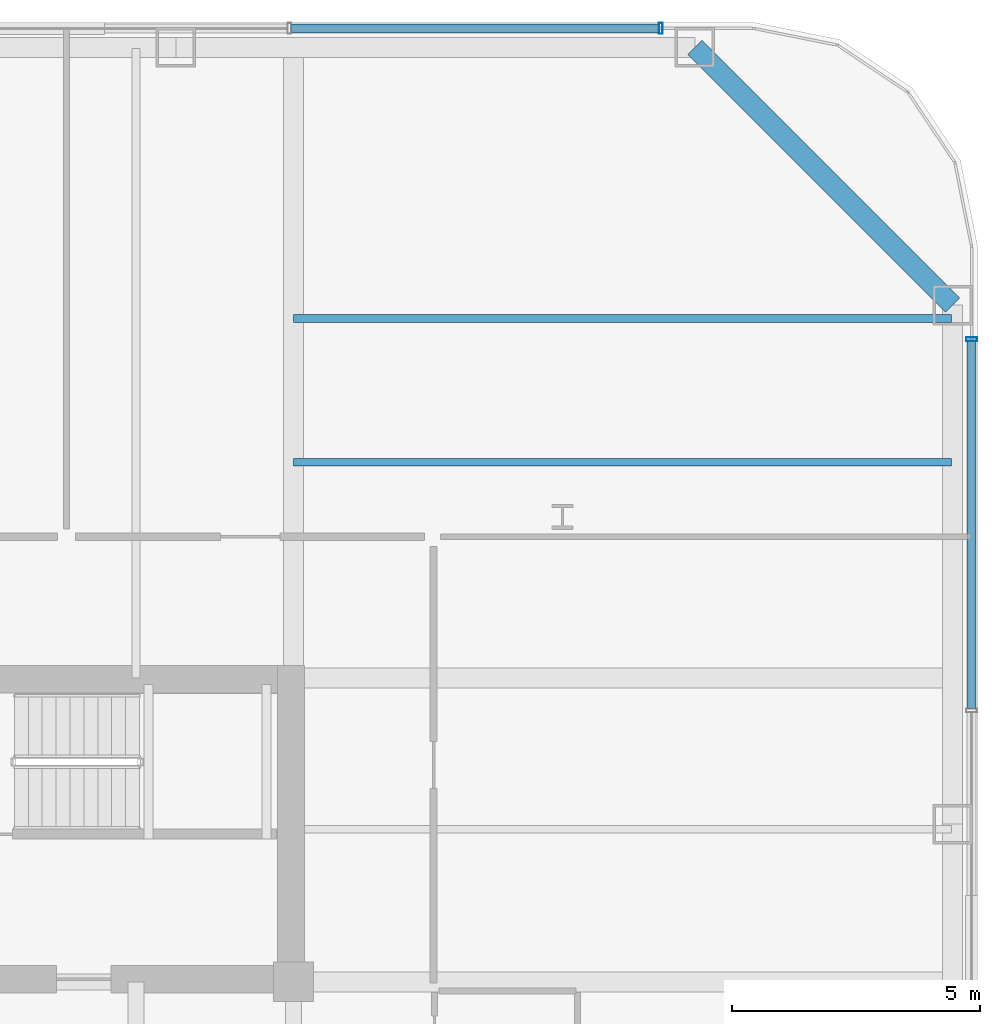
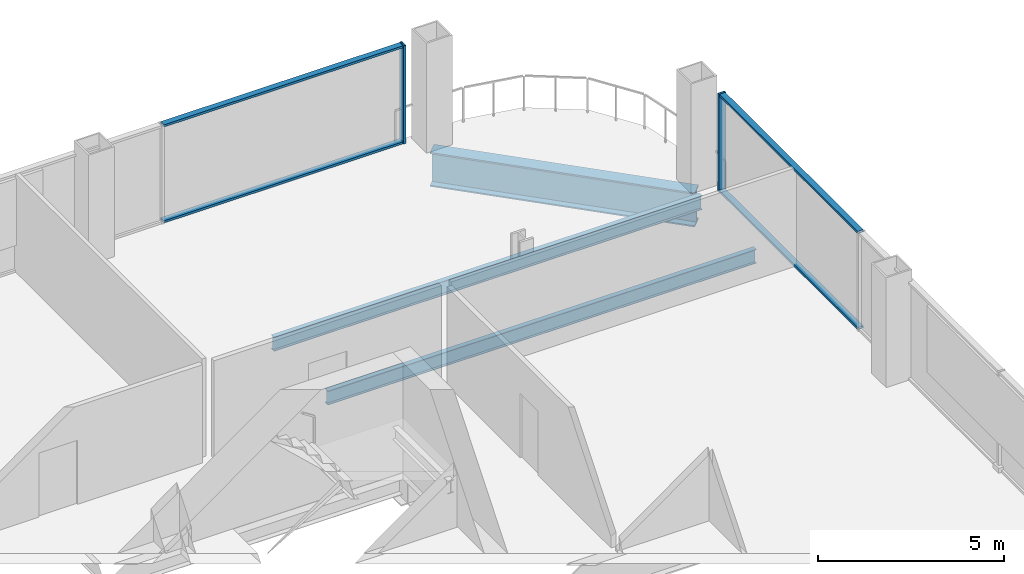
# One storey, part 18 of 24: 6 members, 3 beams, 2 elements without a shape of their own.
"""IFC4 building model written with IfcOpenShell, lengths in metres."""

from ifc_helpers import new_model, si_unit, direction, frame, origin, origin_2d, place, context, subcontext, project, spatial, hollow_rectangle, i_section, extrude, material, layer, layer_set, material_profile, profile_set, type_object, element, aggregate, save


model = new_model("IFC4")

# Units and contexts
model_context = context("Model", 3, precision=1e-05, world=origin(), true_north=direction((0.0, 1.0)))
body_context = subcontext(model_context, "Body", "Model", "MODEL_VIEW")
ifc_project = project(units=[si_unit("LENGTHUNIT", "METRE"), si_unit("AREAUNIT", "SQUARE_METRE"), si_unit("VOLUMEUNIT", "CUBIC_METRE"), si_unit("PLANEANGLEUNIT", "RADIAN"), si_unit("MASSUNIT", "GRAM", prefix="KILO")], contexts=[model_context])

# Site, building, storey
site_placement = place(None, origin())
site = spatial("IfcSite", under=ifc_project, at=site_placement, CompositionType="ELEMENT")
building_placement = place(site_placement, origin())
building = spatial("IfcBuilding", under=site, at=building_placement, Name="Qhalaya Broadcast Tower", CompositionType="ELEMENT")
storey_placement = place(building_placement, frame((0.0, 0.0, 61.5)))
storey = spatial("IfcBuildingStorey", under=building, at=storey_placement, Name="L17", CompositionType="ELEMENT", Elevation=61.5)

# Beams
ifc_material_1 = material(Name="Structural Steel ASTM A992 Grade 50", Category="steel")
ifc_material_profile_1 = material_profile(ifc_material_1, i_section(OverallWidth=0.154052734375, OverallDepth=0.458984375, WebThickness=0.009033203125, FlangeThickness=0.015380859375, at=origin_2d()), Name="W18X46")
ifc_profile_set_1 = profile_set([ifc_material_profile_1], Name="Structural Steel ASTM A992 Grade 50")
beam_type_1 = type_object("IfcBeamType", Name="Composite Floor Joist J04", PredefinedType="JOIST", material=ifc_profile_set_1)
for number, where, z_axis, x_axis, name in (
    (1, (9.375, 14.300048828125, -0.449462890625), (1.0, 0.0, 0.0), (0.0, 1.0, 0.0), "L17 J04 L17-JWE6E-1"),
    (2, (9.375, 17.199951171875, -0.449462890625), (1.0, 0.0, 0.0), (0.0, 1.0, 0.0), "L17 J04 L17-JWE7E-1"),
):
    element("IfcBeam", number, at=place(storey_placement, frame(where, z_axis=z_axis, x_axis=x_axis)), inside=storey, type_object=beam_type_1, Name=name, PredefinedType="JOIST", context=body_context, shape_type="SweptSolid", body=[
        extrude(i_section(OverallWidth=0.154052734375, OverallDepth=0.458984375, WebThickness=0.009033203125, FlangeThickness=0.015380859375, at=origin_2d()), origin(), (0.0, 0.0, 1.0), 13.27490234375),
    ])
ifc_material_profile_2 = material_profile(ifc_material_1, i_section(OverallWidth=0.404052734375, OverallDepth=1.117919921875, WebThickness=0.026123046875, FlangeThickness=0.044921875, at=origin_2d()), Name="W44X335")
ifc_profile_set_2 = profile_set([ifc_material_profile_2], Name="Structural Steel ASTM A992 Grade 50")
beam_type_2 = type_object("IfcBeamType", Name="Podium Long-Span Primary Girder PG1", PredefinedType="USERDEFINED", material=ifc_profile_set_2)
beam_placement = place(storey_placement, frame((22.669921875, 17.469970703125, -0.779052734375), z_axis=(-0.707106781187, 0.707106781187, 0.0), x_axis=(-0.707106781187, -0.707106781187, 0.0)))
element("IfcBeam", 3, at=beam_placement, inside=storey, type_object=beam_type_2, Name="L17 PG1 L17-SPR-08", ObjectType="GIRDER", PredefinedType="USERDEFINED", context=body_context, shape_type="SweptSolid", body=[
    extrude(i_section(OverallWidth=0.404052734375, OverallDepth=1.117919921875, WebThickness=0.026123046875, FlangeThickness=0.044921875, at=origin_2d()), origin(), (0.0, 0.0, 1.0), 7.353759765625),
])

# Curtain wall, member
ifc_material_2 = material(Name="Solar-Control Low-E Triple Glazing", Category="glass")
ifc_layer = layer(ifc_material_2, 0.219970703125, Name="Solar-Control Low-E Triple Glazing")
ifc_layer_set = layer_set([ifc_layer], Name="Solar-Control Low-E Triple Glazing")
curtain_wall_type = type_object("IfcCurtainWallType", Name="Recessed Sky-Garden Neck Ribbon Curtain Wall CW-05", PredefinedType="NOTDEFINED", material=ifc_layer_set)
curtain_wall_1_placement = place(storey_placement, origin())
curtain_wall_1 = element("IfcCurtainWall", 4, at=curtain_wall_1_placement, inside=storey, type_object=curtain_wall_type, Name="L17 Unitised Curtain Wall L17-CW-E", PredefinedType="NOTDEFINED")
ifc_material_3 = material(Name="Anodised Aluminium 6063-T6", Category="aluminium")
ifc_material_profile_3 = material_profile(ifc_material_3, hollow_rectangle(XDim=0.074951171875, YDim=0.219970703125, WallThickness=0.00390625, at=origin_2d()), Name="ALU-MUL 75x220x4")
ifc_profile_set_3 = profile_set([ifc_material_profile_3], Name="Anodised Aluminium 6063-T6")
member_type_1 = type_object("IfcMemberType", Name="Unitised Curtain-Wall Mullion M01", PredefinedType="MULLION", material=ifc_profile_set_3)
member_1_placement = place(storey_placement, frame((23.050048828125, 16.782470703125, 0.0), z_axis=(0.0, 0.0, 1.0), x_axis=(0.0, 1.0, 0.0)))
member_1 = element("IfcMember", 5, at=member_1_placement, type_object=member_type_1, Name="CW-05 mullion 5", PredefinedType="MULLION", context=body_context, shape_type="SweptSolid", body=[
    extrude(hollow_rectangle(XDim=0.074951171875, YDim=0.219970703125, WallThickness=0.00390625, at=origin_2d()), origin(), (0.0, 0.0, 1.0), 3.219970703125),
])

curtain_wall_2_placement = place(storey_placement, origin())
curtain_wall_2 = element("IfcCurtainWall", 6, at=curtain_wall_2_placement, inside=storey, type_object=curtain_wall_type, Name="L17 Unitised Curtain Wall L17-CW-N", PredefinedType="NOTDEFINED")
member_2_placement = place(storey_placement, frame((16.782470703125, 23.050048828125, 0.0), z_axis=(0.0, 0.0, 1.0), x_axis=(-1.0, 0.0, 0.0)))
member_2 = element("IfcMember", 7, at=member_2_placement, type_object=member_type_1, Name="CW-05 mullion 1", PredefinedType="MULLION", context=body_context, shape_type="SweptSolid", body=[
    extrude(hollow_rectangle(XDim=0.074951171875, YDim=0.219970703125, WallThickness=0.00390625, at=origin_2d()), origin(), (0.0, 0.0, 1.0), 3.219970703125),
])

# Member
ifc_material_profile_4 = material_profile(ifc_material_3, hollow_rectangle(XDim=0.074951171875, YDim=0.179931640625, WallThickness=0.00390625, at=origin_2d()), Name="ALU-TRN 75x180x4")
ifc_profile_set_4 = profile_set([ifc_material_profile_4], Name="Anodised Aluminium 6063-T6")
member_type_2 = type_object("IfcMemberType", Name="Unitised Curtain-Wall Transom T01", PredefinedType="USERDEFINED", material=ifc_profile_set_4)
member_3_placement = place(storey_placement, frame((23.050048828125, 9.33251953125, 0.03759765625), z_axis=(0.0, 1.0, 0.0), x_axis=(0.0, 0.0, 1.0)))
member_3 = element("IfcMember", 8, at=member_3_placement, type_object=member_type_2, Name="CW-05 transom 4.1", ObjectType="TRANSOM", PredefinedType="USERDEFINED", context=body_context, shape_type="SweptSolid", body=[
    extrude(hollow_rectangle(XDim=0.074951171875, YDim=0.179931640625, WallThickness=0.00390625, at=origin_2d()), origin(), (0.0, 0.0, 1.0), 7.41259765625),
])

member_4_placement = place(storey_placement, frame((23.050048828125, 9.33251953125, 3.1826171875), z_axis=(0.0, 1.0, 0.0), x_axis=(0.0, 0.0, 1.0)))
member_4 = element("IfcMember", 9, at=member_4_placement, type_object=member_type_2, Name="CW-05 transom 4.2", ObjectType="TRANSOM", PredefinedType="USERDEFINED", context=body_context, shape_type="SweptSolid", body=[
    extrude(hollow_rectangle(XDim=0.074951171875, YDim=0.179931640625, WallThickness=0.00390625, at=origin_2d()), origin(), (0.0, 0.0, 1.0), 7.41259765625),
])

aggregate(curtain_wall_1, [member_1, member_3, member_4])

member_5_placement = place(storey_placement, frame((16.7451171875, 23.050048828125, 0.03759765625), z_axis=(-1.0, 0.0, 0.0), x_axis=(0.0, 0.0, 1.0)))
member_5 = element("IfcMember", 10, at=member_5_placement, type_object=member_type_2, Name="CW-05 transom 1.1", ObjectType="TRANSOM", PredefinedType="USERDEFINED", context=body_context, shape_type="SweptSolid", body=[
    extrude(hollow_rectangle(XDim=0.074951171875, YDim=0.179931640625, WallThickness=0.00390625, at=origin_2d()), origin(), (0.0, 0.0, 1.0), 7.41259765625),
])

member_6_placement = place(storey_placement, frame((16.7451171875, 23.050048828125, 3.1826171875), z_axis=(-1.0, 0.0, 0.0), x_axis=(0.0, 0.0, 1.0)))
member_6 = element("IfcMember", 11, at=member_6_placement, type_object=member_type_2, Name="CW-05 transom 1.2", ObjectType="TRANSOM", PredefinedType="USERDEFINED", context=body_context, shape_type="SweptSolid", body=[
    extrude(hollow_rectangle(XDim=0.074951171875, YDim=0.179931640625, WallThickness=0.00390625, at=origin_2d()), origin(), (0.0, 0.0, 1.0), 7.41259765625),
])

aggregate(curtain_wall_2, [member_2, member_5, member_6])

save(model, "model.ifc")
